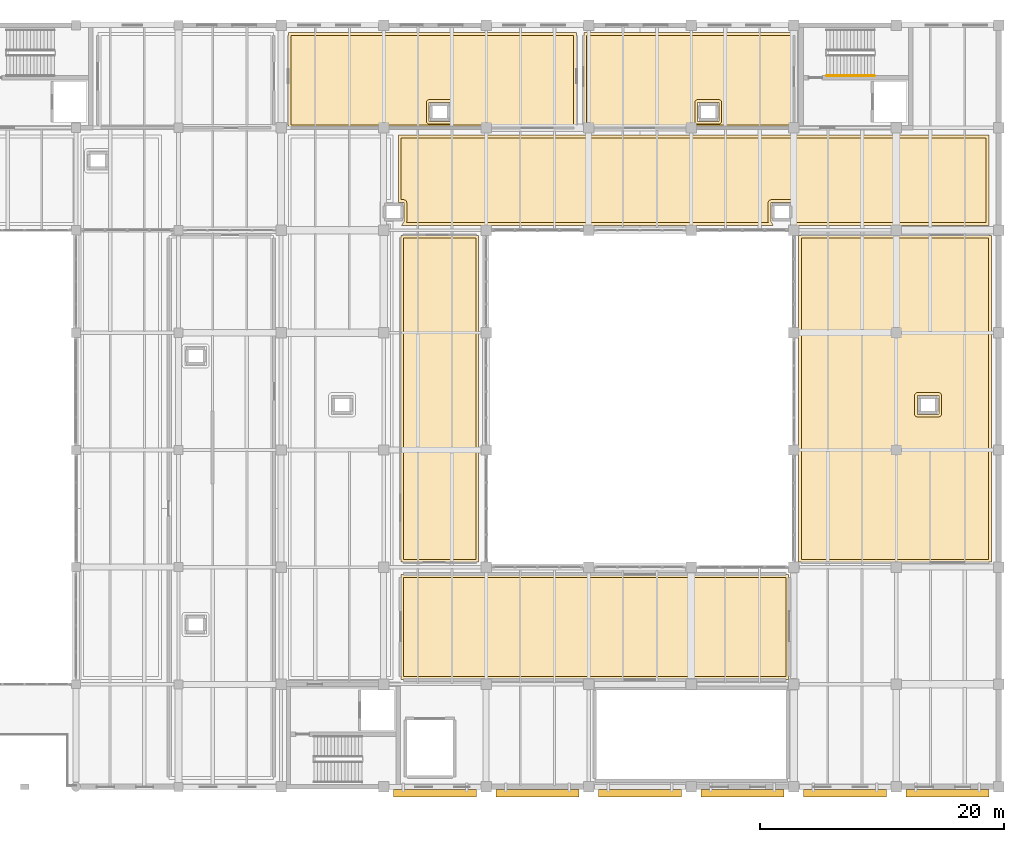
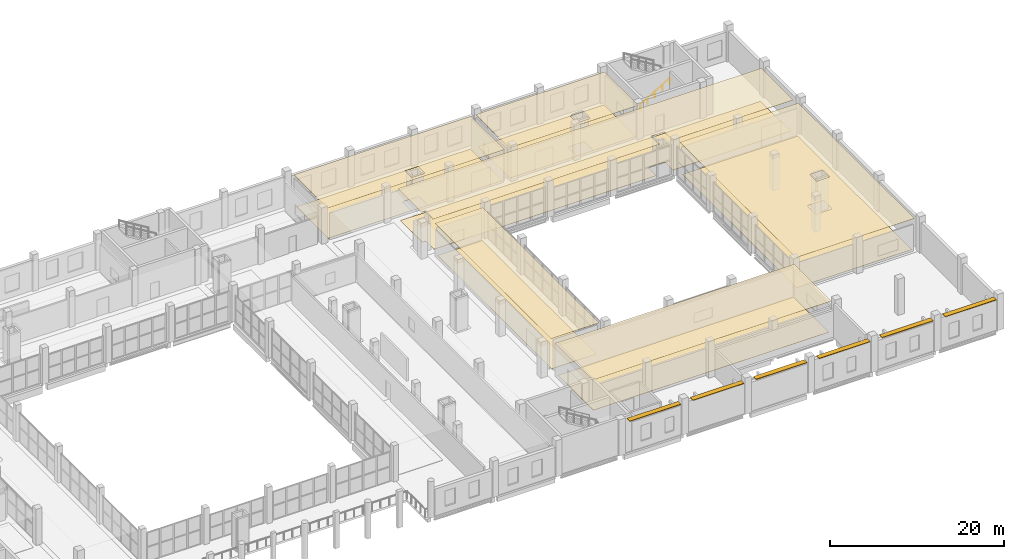
# One storey, part 65 of 66: 12 coverings, 6 shading devices, 1 railing.
"""IFC4 building model written with IfcOpenShell, lengths in metres."""

from ifc_helpers import new_model, si_unit, direction, frame, origin, origin_2d, place, context, subcontext, project, spatial, polyline, rectangle, circle, outline, extrude, material, layer, layer_set, type_object, element, save


model = new_model("IFC4")

# Units and contexts
model_context = context("Model", 3, precision=1e-05, world=origin(), true_north=direction((0.0, 1.0)))
body_context = subcontext(model_context, "Body", "Model", "MODEL_VIEW")
ifc_project = project(units=[si_unit("LENGTHUNIT", "METRE"), si_unit("AREAUNIT", "SQUARE_METRE"), si_unit("VOLUMEUNIT", "CUBIC_METRE"), si_unit("PLANEANGLEUNIT", "RADIAN"), si_unit("MASSUNIT", "GRAM", prefix="KILO")], contexts=[model_context])

# Site, building, storey
site_placement = place(None, origin())
site = spatial("IfcSite", under=ifc_project, at=site_placement, CompositionType="ELEMENT")
building_placement = place(site_placement, origin())
building = spatial("IfcBuilding", under=site, at=building_placement, Name="Zulmaris Art Gallery", CompositionType="ELEMENT")
storey_placement = place(building_placement, frame((0.0, 0.0, 5.39990234375)))
storey = spatial("IfcBuildingStorey", under=building, at=storey_placement, Name="L01", CompositionType="ELEMENT", Elevation=5.39990234375)

# Coverings
ifc_material_1 = material(Name="Micro-Perforated Gypsum Acoustic Ceiling", Category="gypsum")
ifc_layer_1 = layer(ifc_material_1, 0.02490234375)
ifc_layer_set_1 = layer_set([ifc_layer_1], Name="Micro-Perforated Gypsum Acoustic Ceiling")
covering_type_1 = type_object("IfcCoveringType", Name="COV-CL01", PredefinedType="CEILING", material=ifc_layer_set_1)
covering_1_placement = place(storey_placement, frame((0.0, 0.0, 4.4501953125)))
element("IfcCovering", 1, at=covering_1_placement, inside=storey, type_object=covering_type_1, Name="L01 V5 North Corridor acoustic ceiling", PredefinedType="CEILING", context=body_context, shape_type="SweptSolid", body=[
    extrude(outline(polyline([(151.678466796875, 59.54150390625), (151.67919921875, 59.544189453125), (151.6796875, 59.547119140625), (151.679931640625, 59.555419921875), (151.679931640625, 61.044677734375), (151.6796875, 61.052978515625), (151.67919921875, 61.055908203125), (151.678466796875, 61.05859375), (151.677490234375, 61.061279296875), (151.67626953125, 61.06396484375), (151.6748046875, 61.06640625), (151.673095703125, 61.06884765625), (151.6708984375, 61.071044921875), (151.6689453125, 61.072998046875), (151.66650390625, 61.07470703125), (151.6640625, 61.076171875), (151.661376953125, 61.077392578125), (151.65869140625, 61.07861328125), (151.65576171875, 61.0791015625), (151.65283203125, 61.07958984375), (151.64453125, 61.080078125), (151.2099609375, 61.080078125), (151.2099609375, 66.590087890625), (199.590087890625, 66.590087890625), (199.590087890625, 59.2099609375), (183.28076171875, 59.2099609375), (183.476318359375, 59.535888671875), (183.4775390625, 59.53857421875), (183.478515625, 59.54150390625), (183.479248046875, 59.544189453125), (183.4794921875, 59.547119140625), (183.47998046875, 59.555419921875), (183.47998046875, 61.044677734375), (183.4794921875, 61.052978515625), (183.479248046875, 61.055908203125), (183.478515625, 61.05859375), (183.4775390625, 61.061279296875), (183.476318359375, 61.06396484375), (183.474609375, 61.06640625), (183.472900390625, 61.06884765625), (183.470947265625, 61.071044921875), (183.468994140625, 61.072998046875), (183.466552734375, 61.07470703125), (183.464111328125, 61.076171875), (183.46142578125, 61.077392578125), (183.45849609375, 61.07861328125), (183.455810546875, 61.0791015625), (183.452880859375, 61.07958984375), (183.444580078125, 61.080078125), (181.75537109375, 61.080078125), (181.7470703125, 61.07958984375), (181.744140625, 61.0791015625), (181.741455078125, 61.07861328125), (181.738525390625, 61.077392578125), (181.736083984375, 61.076171875), (181.7333984375, 61.07470703125), (181.731201171875, 61.072998046875), (181.72900390625, 61.071044921875), (181.72705078125, 61.06884765625), (181.725341796875, 61.06640625), (181.723876953125, 61.06396484375), (181.722412109375, 61.061279296875), (181.721435546875, 61.05859375), (181.720703125, 61.055908203125), (181.720458984375, 61.052978515625), (181.719970703125, 61.044677734375), (181.719970703125, 59.555419921875), (181.720458984375, 59.547119140625), (181.720703125, 59.544189453125), (181.721435546875, 59.54150390625), (181.722412109375, 59.53857421875), (181.723876953125, 59.535888671875), (181.919189453125, 59.2099609375), (151.480712890625, 59.2099609375), (151.67626953125, 59.535888671875), (151.677490234375, 59.53857421875), (151.678466796875, 59.54150390625)])), origin(), (0.0, 0.0, 1.0), 0.02978515625),
])
covering_2_placement = place(storey_placement, frame((0.0, 0.0, 4.4501953125)))
element("IfcCovering", 2, at=covering_2_placement, inside=storey, type_object=covering_type_1, Name="Climate-Controlled Art Store 2 acoustic ceiling", PredefinedType="CEILING", context=body_context, shape_type="SweptSolid", body=[
    extrude(outline(polyline([(151.409912109375, 30.590087890625), (183.18994140625, 30.590087890625), (183.18994140625, 22.010009765625), (151.409912109375, 22.010009765625), (151.409912109375, 30.590087890625)])), origin(), (0.0, 0.0, 1.0), 0.02978515625),
])
covering_3_placement = place(storey_placement, frame((0.0, 0.0, 4.4501953125)))
element("IfcCovering", 3, at=covering_3_placement, inside=storey, type_object=covering_type_1, Name="Framed Works Rack Art Store acoustic ceiling", PredefinedType="CEILING", context=body_context, shape_type="SweptSolid", body=[
    extrude(outline(polyline([(151.409912109375, 58.389892578125), (157.7900390625, 58.389892578125), (157.7900390625, 31.610107421875), (151.409912109375, 31.610107421875), (151.409912109375, 58.389892578125)])), origin(), (0.0, 0.0, 1.0), 0.02978515625),
])
covering_4_placement = place(storey_placement, frame((0.0, 0.0, 4.4501953125)))
element("IfcCovering", 4, at=covering_4_placement, inside=storey, type_object=covering_type_1, Name="Rolled Tapestry & Carpet Art Store acoustic ceiling", PredefinedType="CEILING", context=body_context, shape_type="SweptSolid", body=[
    extrude(outline(polyline([(184.010009765625, 58.389892578125), (199.7900390625, 58.389892578125), (199.7900390625, 31.610107421875), (184.010009765625, 31.610107421875), (184.010009765625, 58.389892578125)]), holes=[polyline([(193.741455078125, 45.278564453125), (193.738525390625, 45.277587890625), (193.736083984375, 45.276123046875), (193.7333984375, 45.274658203125), (193.731201171875, 45.27294921875), (193.72900390625, 45.27099609375), (193.72705078125, 45.268798828125), (193.725341796875, 45.2666015625), (193.723876953125, 45.263916015625), (193.722412109375, 45.261474609375), (193.721435546875, 45.258544921875), (193.720703125, 45.255859375), (193.720458984375, 45.2529296875), (193.719970703125, 45.24462890625), (193.719970703125, 43.75537109375), (193.720458984375, 43.7470703125), (193.720703125, 43.744140625), (193.721435546875, 43.741455078125), (193.722412109375, 43.738525390625), (193.723876953125, 43.736083984375), (193.725341796875, 43.7333984375), (193.72705078125, 43.731201171875), (193.72900390625, 43.72900390625), (193.731201171875, 43.72705078125), (193.7333984375, 43.725341796875), (193.736083984375, 43.723876953125), (193.738525390625, 43.722412109375), (193.741455078125, 43.721435546875), (193.744140625, 43.720703125), (193.7470703125, 43.720458984375), (193.75537109375, 43.719970703125), (195.444580078125, 43.719970703125), (195.452880859375, 43.720458984375), (195.455810546875, 43.720703125), (195.45849609375, 43.721435546875), (195.46142578125, 43.722412109375), (195.464111328125, 43.723876953125), (195.466552734375, 43.725341796875), (195.468994140625, 43.72705078125), (195.470947265625, 43.72900390625), (195.472900390625, 43.731201171875), (195.474609375, 43.7333984375), (195.476318359375, 43.736083984375), (195.4775390625, 43.738525390625), (195.478515625, 43.741455078125), (195.479248046875, 43.744140625), (195.4794921875, 43.7470703125), (195.47998046875, 43.75537109375), (195.47998046875, 45.24462890625), (195.4794921875, 45.2529296875), (195.479248046875, 45.255859375), (195.478515625, 45.258544921875), (195.4775390625, 45.261474609375), (195.476318359375, 45.263916015625), (195.474609375, 45.2666015625), (195.472900390625, 45.268798828125), (195.470947265625, 45.27099609375), (195.468994140625, 45.27294921875), (195.466552734375, 45.274658203125), (195.464111328125, 45.276123046875), (195.46142578125, 45.277587890625), (195.45849609375, 45.278564453125), (195.455810546875, 45.279296875), (195.452880859375, 45.279541015625), (195.444580078125, 45.280029296875), (193.75537109375, 45.280029296875), (193.7470703125, 45.279541015625), (193.744140625, 45.279296875), (193.741455078125, 45.278564453125)])]), origin(), (0.0, 0.0, 1.0), 0.02978515625),
])
covering_5_placement = place(storey_placement, frame((0.0, 0.0, 4.4501953125)))
element("IfcCovering", 5, at=covering_5_placement, inside=storey, type_object=covering_type_1, Name="Photography Digitisation & Darkroom acoustic ceiling", PredefinedType="CEILING", context=body_context, shape_type="SweptSolid", body=[
    extrude(outline(polyline([(142.2099609375, 74.989990234375), (165.7900390625, 74.989990234375), (165.7900390625, 67.2099609375), (142.2099609375, 67.2099609375), (142.2099609375, 74.989990234375)]), holes=[polyline([(153.741455078125, 69.278564453125), (153.738525390625, 69.277587890625), (153.736083984375, 69.276123046875), (153.7333984375, 69.274658203125), (153.731201171875, 69.27294921875), (153.72900390625, 69.27099609375), (153.72705078125, 69.268798828125), (153.725341796875, 69.2666015625), (153.723876953125, 69.263916015625), (153.722412109375, 69.261474609375), (153.721435546875, 69.258544921875), (153.720703125, 69.255859375), (153.720458984375, 69.2529296875), (153.719970703125, 69.24462890625), (153.719970703125, 67.75537109375), (153.720458984375, 67.7470703125), (153.720703125, 67.744140625), (153.721435546875, 67.741455078125), (153.722412109375, 67.738525390625), (153.723876953125, 67.736083984375), (153.725341796875, 67.7333984375), (153.72705078125, 67.731201171875), (153.72900390625, 67.72900390625), (153.731201171875, 67.72705078125), (153.7333984375, 67.725341796875), (153.736083984375, 67.723876953125), (153.738525390625, 67.722412109375), (153.741455078125, 67.721435546875), (153.744140625, 67.720703125), (153.7470703125, 67.720458984375), (153.75537109375, 67.719970703125), (155.444580078125, 67.719970703125), (155.452880859375, 67.720458984375), (155.455810546875, 67.720703125), (155.45849609375, 67.721435546875), (155.46142578125, 67.722412109375), (155.464111328125, 67.723876953125), (155.466552734375, 67.725341796875), (155.468994140625, 67.72705078125), (155.470947265625, 67.72900390625), (155.472900390625, 67.731201171875), (155.474609375, 67.7333984375), (155.476318359375, 67.736083984375), (155.4775390625, 67.738525390625), (155.478515625, 67.741455078125), (155.479248046875, 67.744140625), (155.4794921875, 67.7470703125), (155.47998046875, 67.75537109375), (155.47998046875, 69.24462890625), (155.4794921875, 69.2529296875), (155.479248046875, 69.255859375), (155.478515625, 69.258544921875), (155.4775390625, 69.261474609375), (155.476318359375, 69.263916015625), (155.474609375, 69.2666015625), (155.472900390625, 69.268798828125), (155.470947265625, 69.27099609375), (155.468994140625, 69.27294921875), (155.466552734375, 69.274658203125), (155.464111328125, 69.276123046875), (155.46142578125, 69.277587890625), (155.45849609375, 69.278564453125), (155.455810546875, 69.279296875), (155.452880859375, 69.279541015625), (155.444580078125, 69.280029296875), (153.75537109375, 69.280029296875), (153.7470703125, 69.279541015625), (153.744140625, 69.279296875), (153.741455078125, 69.278564453125)])]), origin(), (0.0, 0.0, 1.0), 0.02978515625),
])
covering_6_placement = place(storey_placement, frame((0.0, 0.0, 4.4501953125)))
element("IfcCovering", 6, at=covering_6_placement, inside=storey, type_object=covering_type_1, Name="Collections Cataloguing & Provenance Office acoustic ceiling", PredefinedType="CEILING", context=body_context, shape_type="SweptSolid", body=[
    extrude(outline(polyline([(166.409912109375, 74.989990234375), (183.590087890625, 74.989990234375), (183.590087890625, 67.2099609375), (166.409912109375, 67.2099609375), (166.409912109375, 74.989990234375)]), holes=[polyline([(175.741455078125, 69.278564453125), (175.738525390625, 69.277587890625), (175.736083984375, 69.276123046875), (175.7333984375, 69.274658203125), (175.731201171875, 69.27294921875), (175.72900390625, 69.27099609375), (175.72705078125, 69.268798828125), (175.725341796875, 69.2666015625), (175.723876953125, 69.263916015625), (175.722412109375, 69.261474609375), (175.721435546875, 69.258544921875), (175.720703125, 69.255859375), (175.720458984375, 69.2529296875), (175.719970703125, 69.24462890625), (175.719970703125, 67.75537109375), (175.720458984375, 67.7470703125), (175.720703125, 67.744140625), (175.721435546875, 67.741455078125), (175.722412109375, 67.738525390625), (175.723876953125, 67.736083984375), (175.725341796875, 67.7333984375), (175.72705078125, 67.731201171875), (175.72900390625, 67.72900390625), (175.731201171875, 67.72705078125), (175.7333984375, 67.725341796875), (175.736083984375, 67.723876953125), (175.738525390625, 67.722412109375), (175.741455078125, 67.721435546875), (175.744140625, 67.720703125), (175.7470703125, 67.720458984375), (175.75537109375, 67.719970703125), (177.444580078125, 67.719970703125), (177.452880859375, 67.720458984375), (177.455810546875, 67.720703125), (177.45849609375, 67.721435546875), (177.46142578125, 67.722412109375), (177.464111328125, 67.723876953125), (177.466552734375, 67.725341796875), (177.468994140625, 67.72705078125), (177.470947265625, 67.72900390625), (177.472900390625, 67.731201171875), (177.474609375, 67.7333984375), (177.476318359375, 67.736083984375), (177.4775390625, 67.738525390625), (177.478515625, 67.741455078125), (177.479248046875, 67.744140625), (177.4794921875, 67.7470703125), (177.47998046875, 67.75537109375), (177.47998046875, 69.24462890625), (177.4794921875, 69.2529296875), (177.479248046875, 69.255859375), (177.478515625, 69.258544921875), (177.4775390625, 69.261474609375), (177.476318359375, 69.263916015625), (177.474609375, 69.2666015625), (177.472900390625, 69.268798828125), (177.470947265625, 69.27099609375), (177.468994140625, 69.27294921875), (177.466552734375, 69.274658203125), (177.464111328125, 69.276123046875), (177.46142578125, 69.277587890625), (177.45849609375, 69.278564453125), (177.455810546875, 69.279296875), (177.452880859375, 69.279541015625), (177.444580078125, 69.280029296875), (175.75537109375, 69.280029296875), (175.7470703125, 69.279541015625), (175.744140625, 69.279296875), (175.741455078125, 69.278564453125)])]), origin(), (0.0, 0.0, 1.0), 0.02978515625),
])
ifc_material_2 = material(Name="Honed Omani Limestone Terrazzo Flooring", Category="masonry")
ifc_layer_2 = layer(ifc_material_2, 0.0400390625)
ifc_layer_set_2 = layer_set([ifc_layer_2], Name="Honed Omani Limestone Terrazzo Flooring")
covering_type_2 = type_object("IfcCoveringType", Name="COV-FL01", PredefinedType="FLOORING", material=ifc_layer_set_2)
covering_7_placement = place(storey_placement, origin())
element("IfcCovering", 7, at=covering_7_placement, inside=storey, type_object=covering_type_2, Name="L01 V5 North Corridor finish flooring", PredefinedType="FLOORING", context=body_context, shape_type="SweptSolid", body=[
    extrude(outline(polyline([(151.87060546875, 59.43212890625), (151.881103515625, 59.454345703125), (151.88916015625, 59.477294921875), (151.895263671875, 59.501220703125), (151.898681640625, 59.525390625), (151.89990234375, 59.550048828125), (151.89990234375, 61.050048828125), (151.898681640625, 61.074462890625), (151.895263671875, 61.098876953125), (151.88916015625, 61.12255859375), (151.881103515625, 61.145751953125), (151.87060546875, 61.167724609375), (151.85791015625, 61.18896484375), (151.84326171875, 61.20849609375), (151.826904296875, 61.226806640625), (151.80859375, 61.243408203125), (151.788818359375, 61.2578125), (151.767822265625, 61.2705078125), (151.74560546875, 61.281005859375), (151.72265625, 61.289306640625), (151.69873046875, 61.295166015625), (151.674560546875, 61.298828125), (151.64990234375, 61.300048828125), (151.429931640625, 61.300048828125), (151.429931640625, 66.3701171875), (199.3701171875, 66.3701171875), (199.3701171875, 59.429931640625), (183.669189453125, 59.429931640625), (183.67041015625, 59.43212890625), (183.680908203125, 59.454345703125), (183.689208984375, 59.477294921875), (183.6953125, 59.501220703125), (183.69873046875, 59.525390625), (183.699951171875, 59.550048828125), (183.699951171875, 61.050048828125), (183.69873046875, 61.074462890625), (183.6953125, 61.098876953125), (183.689208984375, 61.12255859375), (183.680908203125, 61.145751953125), (183.67041015625, 61.167724609375), (183.657958984375, 61.18896484375), (183.643310546875, 61.20849609375), (183.626708984375, 61.226806640625), (183.608642578125, 61.243408203125), (183.5888671875, 61.2578125), (183.56787109375, 61.2705078125), (183.545654296875, 61.281005859375), (183.522705078125, 61.289306640625), (183.498779296875, 61.295166015625), (183.474609375, 61.298828125), (183.449951171875, 61.300048828125), (181.75, 61.300048828125), (181.7255859375, 61.298828125), (181.701171875, 61.295166015625), (181.677490234375, 61.289306640625), (181.654296875, 61.281005859375), (181.632080078125, 61.2705078125), (181.611083984375, 61.2578125), (181.59130859375, 61.243408203125), (181.5732421875, 61.226806640625), (181.556640625, 61.20849609375), (181.5419921875, 61.18896484375), (181.529541015625, 61.167724609375), (181.51904296875, 61.145751953125), (181.5107421875, 61.12255859375), (181.5048828125, 61.098876953125), (181.501220703125, 61.074462890625), (181.5, 61.050048828125), (181.5, 59.550048828125), (181.501220703125, 59.525390625), (181.5048828125, 59.501220703125), (181.5107421875, 59.477294921875), (181.51904296875, 59.454345703125), (181.529541015625, 59.43212890625), (181.53076171875, 59.429931640625), (151.869140625, 59.429931640625), (151.87060546875, 59.43212890625)])), origin(), (0.0, 0.0, 1.0), 0.03515625),
])
covering_8_placement = place(storey_placement, origin())
element("IfcCovering", 8, at=covering_8_placement, inside=storey, type_object=covering_type_2, Name="Climate-Controlled Art Store 2 finish flooring", PredefinedType="FLOORING", context=body_context, shape_type="SweptSolid", body=[
    extrude(outline(polyline([(182.969970703125, 22.22998046875), (151.6298828125, 22.22998046875), (151.6298828125, 30.3701171875), (182.969970703125, 30.3701171875), (182.969970703125, 22.22998046875)])), origin(), (0.0, 0.0, 1.0), 0.03515625),
])
covering_9_placement = place(storey_placement, origin())
element("IfcCovering", 9, at=covering_9_placement, inside=storey, type_object=covering_type_2, Name="Framed Works Rack Art Store finish flooring", PredefinedType="FLOORING", context=body_context, shape_type="SweptSolid", body=[
    extrude(outline(polyline([(157.570068359375, 31.830078125), (151.6298828125, 31.830078125), (151.6298828125, 58.169921875), (157.570068359375, 58.169921875), (157.570068359375, 31.830078125)])), origin(), (0.0, 0.0, 1.0), 0.03515625),
])
covering_10_placement = place(storey_placement, origin())
element("IfcCovering", 10, at=covering_10_placement, inside=storey, type_object=covering_type_2, Name="Rolled Tapestry & Carpet Art Store finish flooring", PredefinedType="FLOORING", context=body_context, shape_type="SweptSolid", body=[
    extrude(outline(polyline([(199.570068359375, 31.830078125), (184.22998046875, 31.830078125), (184.22998046875, 58.169921875), (199.570068359375, 58.169921875), (199.570068359375, 31.830078125)]), holes=[polyline([(193.7255859375, 45.498779296875), (193.701171875, 45.4951171875), (193.677490234375, 45.4892578125), (193.654296875, 45.48095703125), (193.632080078125, 45.470458984375), (193.611083984375, 45.4580078125), (193.59130859375, 45.443359375), (193.5732421875, 45.4267578125), (193.556640625, 45.40869140625), (193.5419921875, 45.388916015625), (193.529541015625, 45.367919921875), (193.51904296875, 45.345703125), (193.5107421875, 45.322509765625), (193.5048828125, 45.298828125), (193.501220703125, 45.2744140625), (193.5, 45.25), (193.5, 43.75), (193.501220703125, 43.7255859375), (193.5048828125, 43.701171875), (193.5107421875, 43.677490234375), (193.51904296875, 43.654296875), (193.529541015625, 43.632080078125), (193.5419921875, 43.611083984375), (193.556640625, 43.59130859375), (193.5732421875, 43.5732421875), (193.59130859375, 43.556640625), (193.611083984375, 43.5419921875), (193.632080078125, 43.529541015625), (193.654296875, 43.51904296875), (193.677490234375, 43.5107421875), (193.701171875, 43.5048828125), (193.7255859375, 43.501220703125), (193.75, 43.5), (195.449951171875, 43.5), (195.474609375, 43.501220703125), (195.498779296875, 43.5048828125), (195.522705078125, 43.5107421875), (195.545654296875, 43.51904296875), (195.56787109375, 43.529541015625), (195.5888671875, 43.5419921875), (195.608642578125, 43.556640625), (195.626708984375, 43.5732421875), (195.643310546875, 43.59130859375), (195.657958984375, 43.611083984375), (195.67041015625, 43.632080078125), (195.680908203125, 43.654296875), (195.689208984375, 43.677490234375), (195.6953125, 43.701171875), (195.69873046875, 43.7255859375), (195.699951171875, 43.75), (195.699951171875, 45.25), (195.69873046875, 45.2744140625), (195.6953125, 45.298828125), (195.689208984375, 45.322509765625), (195.680908203125, 45.345703125), (195.67041015625, 45.367919921875), (195.657958984375, 45.388916015625), (195.643310546875, 45.40869140625), (195.626708984375, 45.4267578125), (195.608642578125, 45.443359375), (195.5888671875, 45.4580078125), (195.56787109375, 45.470458984375), (195.545654296875, 45.48095703125), (195.522705078125, 45.4892578125), (195.498779296875, 45.4951171875), (195.474609375, 45.498779296875), (195.449951171875, 45.5), (193.75, 45.5), (193.7255859375, 45.498779296875)])]), origin(), (0.0, 0.0, 1.0), 0.03515625),
])
covering_11_placement = place(storey_placement, origin())
element("IfcCovering", 11, at=covering_11_placement, inside=storey, type_object=covering_type_2, Name="Photography Digitisation & Darkroom finish flooring", PredefinedType="FLOORING", context=body_context, shape_type="SweptSolid", body=[
    extrude(outline(polyline([(165.570068359375, 67.429931640625), (142.429931640625, 67.429931640625), (142.429931640625, 74.77001953125), (165.570068359375, 74.77001953125), (165.570068359375, 67.429931640625)]), holes=[polyline([(153.7255859375, 69.498779296875), (153.701171875, 69.4951171875), (153.677490234375, 69.4892578125), (153.654296875, 69.48095703125), (153.632080078125, 69.470458984375), (153.611083984375, 69.4580078125), (153.59130859375, 69.443359375), (153.5732421875, 69.4267578125), (153.556640625, 69.40869140625), (153.5419921875, 69.388916015625), (153.529541015625, 69.367919921875), (153.51904296875, 69.345703125), (153.5107421875, 69.322509765625), (153.5048828125, 69.298828125), (153.501220703125, 69.2744140625), (153.5, 69.25), (153.5, 67.75), (153.501220703125, 67.7255859375), (153.5048828125, 67.701171875), (153.5107421875, 67.677490234375), (153.51904296875, 67.654296875), (153.529541015625, 67.632080078125), (153.5419921875, 67.611083984375), (153.556640625, 67.59130859375), (153.5732421875, 67.5732421875), (153.59130859375, 67.556640625), (153.611083984375, 67.5419921875), (153.632080078125, 67.529541015625), (153.654296875, 67.51904296875), (153.677490234375, 67.5107421875), (153.701171875, 67.5048828125), (153.7255859375, 67.501220703125), (153.75, 67.5), (155.449951171875, 67.5), (155.474609375, 67.501220703125), (155.498779296875, 67.5048828125), (155.522705078125, 67.5107421875), (155.545654296875, 67.51904296875), (155.56787109375, 67.529541015625), (155.5888671875, 67.5419921875), (155.608642578125, 67.556640625), (155.626708984375, 67.5732421875), (155.643310546875, 67.59130859375), (155.657958984375, 67.611083984375), (155.67041015625, 67.632080078125), (155.680908203125, 67.654296875), (155.689208984375, 67.677490234375), (155.6953125, 67.701171875), (155.69873046875, 67.7255859375), (155.699951171875, 67.75), (155.699951171875, 69.25), (155.69873046875, 69.2744140625), (155.6953125, 69.298828125), (155.689208984375, 69.322509765625), (155.680908203125, 69.345703125), (155.67041015625, 69.367919921875), (155.657958984375, 69.388916015625), (155.643310546875, 69.40869140625), (155.626708984375, 69.4267578125), (155.608642578125, 69.443359375), (155.5888671875, 69.4580078125), (155.56787109375, 69.470458984375), (155.545654296875, 69.48095703125), (155.522705078125, 69.4892578125), (155.498779296875, 69.4951171875), (155.474609375, 69.498779296875), (155.449951171875, 69.5), (153.75, 69.5), (153.7255859375, 69.498779296875)])]), origin(), (0.0, 0.0, 1.0), 0.03515625),
])
covering_12_placement = place(storey_placement, origin())
element("IfcCovering", 12, at=covering_12_placement, inside=storey, type_object=covering_type_2, Name="Collections Cataloguing & Provenance Office finish flooring", PredefinedType="FLOORING", context=body_context, shape_type="SweptSolid", body=[
    extrude(outline(polyline([(183.3701171875, 67.429931640625), (166.6298828125, 67.429931640625), (166.6298828125, 74.77001953125), (183.3701171875, 74.77001953125), (183.3701171875, 67.429931640625)]), holes=[polyline([(175.7255859375, 69.498779296875), (175.701171875, 69.4951171875), (175.677490234375, 69.4892578125), (175.654296875, 69.48095703125), (175.632080078125, 69.470458984375), (175.611083984375, 69.4580078125), (175.59130859375, 69.443359375), (175.5732421875, 69.4267578125), (175.556640625, 69.40869140625), (175.5419921875, 69.388916015625), (175.529541015625, 69.367919921875), (175.51904296875, 69.345703125), (175.5107421875, 69.322509765625), (175.5048828125, 69.298828125), (175.501220703125, 69.2744140625), (175.5, 69.25), (175.5, 67.75), (175.501220703125, 67.7255859375), (175.5048828125, 67.701171875), (175.5107421875, 67.677490234375), (175.51904296875, 67.654296875), (175.529541015625, 67.632080078125), (175.5419921875, 67.611083984375), (175.556640625, 67.59130859375), (175.5732421875, 67.5732421875), (175.59130859375, 67.556640625), (175.611083984375, 67.5419921875), (175.632080078125, 67.529541015625), (175.654296875, 67.51904296875), (175.677490234375, 67.5107421875), (175.701171875, 67.5048828125), (175.7255859375, 67.501220703125), (175.75, 67.5), (177.449951171875, 67.5), (177.474609375, 67.501220703125), (177.498779296875, 67.5048828125), (177.522705078125, 67.5107421875), (177.545654296875, 67.51904296875), (177.56787109375, 67.529541015625), (177.5888671875, 67.5419921875), (177.608642578125, 67.556640625), (177.626708984375, 67.5732421875), (177.643310546875, 67.59130859375), (177.657958984375, 67.611083984375), (177.67041015625, 67.632080078125), (177.680908203125, 67.654296875), (177.689208984375, 67.677490234375), (177.6953125, 67.701171875), (177.69873046875, 67.7255859375), (177.699951171875, 67.75), (177.699951171875, 69.25), (177.69873046875, 69.2744140625), (177.6953125, 69.298828125), (177.689208984375, 69.322509765625), (177.680908203125, 69.345703125), (177.67041015625, 69.367919921875), (177.657958984375, 69.388916015625), (177.643310546875, 69.40869140625), (177.626708984375, 69.4267578125), (177.608642578125, 69.443359375), (177.5888671875, 69.4580078125), (177.56787109375, 69.470458984375), (177.545654296875, 69.48095703125), (177.522705078125, 69.4892578125), (177.498779296875, 69.4951171875), (177.474609375, 69.498779296875), (177.449951171875, 69.5), (175.75, 69.5), (175.7255859375, 69.498779296875)])]), origin(), (0.0, 0.0, 1.0), 0.03515625),
])

# Railing
ifc_material_3 = material(Name="Brushed Bronze Handrail", Category="steel")
ifc_layer_3 = layer(ifc_material_3, 0.048095703125)
ifc_layer_set_3 = layer_set([ifc_layer_3], Name="Brushed Bronze Handrail")
railing_type = type_object("IfcRailingType", Name="RAIL-STHND", PredefinedType="HANDRAIL", material=ifc_layer_set_3)
railing_placement = place(storey_placement, frame((186.300048828125, 71.4599609375, 0.170166015625)))
element("IfcRailing", 13, at=railing_placement, inside=storey, type_object=railing_type, Name="L01 ST4 stair handrail 1", PredefinedType="HANDRAIL", context=body_context, shape_type="SweptSolid", body=[
    extrude(circle(Radius=0.02392578125, at=origin_2d()), frame((0.0, 0.0, 0.8759765625), z_axis=(0.854794262968, 0.0, 0.518967020143), x_axis=(0.0, 1.0, 0.0)), (0.0, 0.0, 1.0), 4.585693359375),
    extrude(circle(Radius=0.02099609375, at=origin_2d()), origin(), (0.0, 0.0, 1.0), 0.851806640625),
    extrude(circle(Radius=0.02099609375, at=origin_2d()), frame((0.97998046875, 0.0, 0.594970703125)), (0.0, 0.0, 1.0), 0.851806640625),
    extrude(circle(Radius=0.02099609375, at=origin_2d()), frame((1.9599609375, 0.0, 1.18994140625)), (0.0, 0.0, 1.0), 0.851806640625),
    extrude(circle(Radius=0.02099609375, at=origin_2d()), frame((2.93994140625, 0.0, 1.784912109375)), (0.0, 0.0, 1.0), 0.851806640625),
    extrude(circle(Radius=0.02099609375, at=origin_2d()), frame((3.919921875, 0.0, 2.3798828125)), (0.0, 0.0, 1.0), 0.851806640625),
])

# Shading devices
ifc_material_4 = material(Name="Anodised Bronze Sunshade Louvre", Category="aluminium")
ifc_layer_4 = layer(ifc_material_4, 0.080078125)
ifc_layer_set_4 = layer_set([ifc_layer_4], Name="Anodised Bronze Sunshade Louvre")
shading_device_type = type_object("IfcShadingDeviceType", Name="SHD-03", PredefinedType="JALOUSIE", material=ifc_layer_set_4)
for number, where, z_axis, x_axis, name in (
    (14, (154.199951171875, 12.679931640625, 4.7099609375), (0.0, 0.0, 1.0), (1.0, 0.0, 0.0), "L01 South facade bronze solar louvre 1"),
    (15, (162.60009765625, 12.679931640625, 4.7099609375), (0.0, 0.0, 1.0), (1.0, 0.0, 0.0), "L01 South facade bronze solar louvre 2"),
    (16, (171.0, 12.679931640625, 4.7099609375), (0.0, 0.0, 1.0), (1.0, 0.0, 0.0), "L01 South facade bronze solar louvre 3"),
    (17, (179.39990234375, 12.679931640625, 4.7099609375), (0.0, 0.0, 1.0), (1.0, 0.0, 0.0), "L01 South facade bronze solar louvre 4"),
    (18, (187.800048828125, 12.679931640625, 4.7099609375), (0.0, 0.0, 1.0), (1.0, 0.0, 0.0), "L01 South facade bronze solar louvre 5"),
    (19, (196.199951171875, 12.679931640625, 4.7099609375), (0.0, 0.0, 1.0), (1.0, 0.0, 0.0), "L01 South facade bronze solar louvre 6"),
):
    element("IfcShadingDevice", number, at=place(storey_placement, frame(where, z_axis=z_axis, x_axis=x_axis)), inside=storey, type_object=shading_device_type, Name=name, PredefinedType="JALOUSIE", context=body_context, shape_type="SweptSolid", body=[
        extrude(rectangle(XDim=6.800048828125, YDim=0.64990234375, at=origin_2d()), origin(), (0.0, 0.0, 1.0), 0.080078125),
    ])

save(model, "model.ifc")
